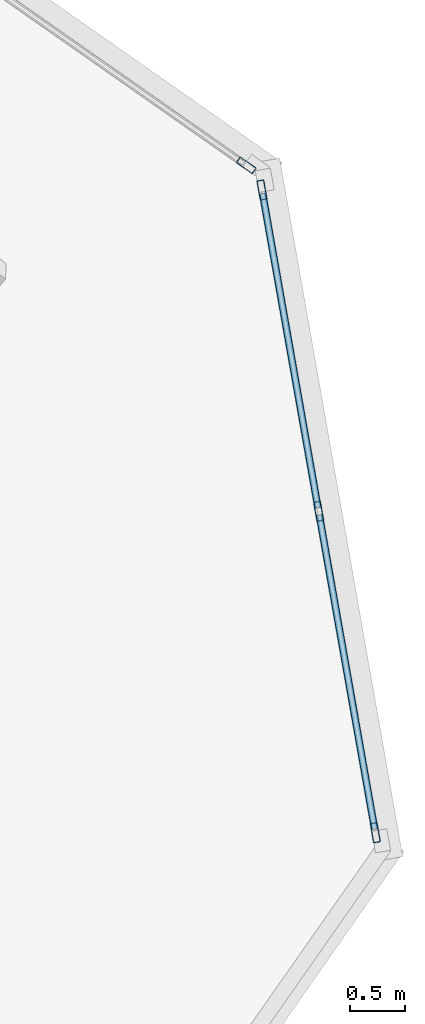
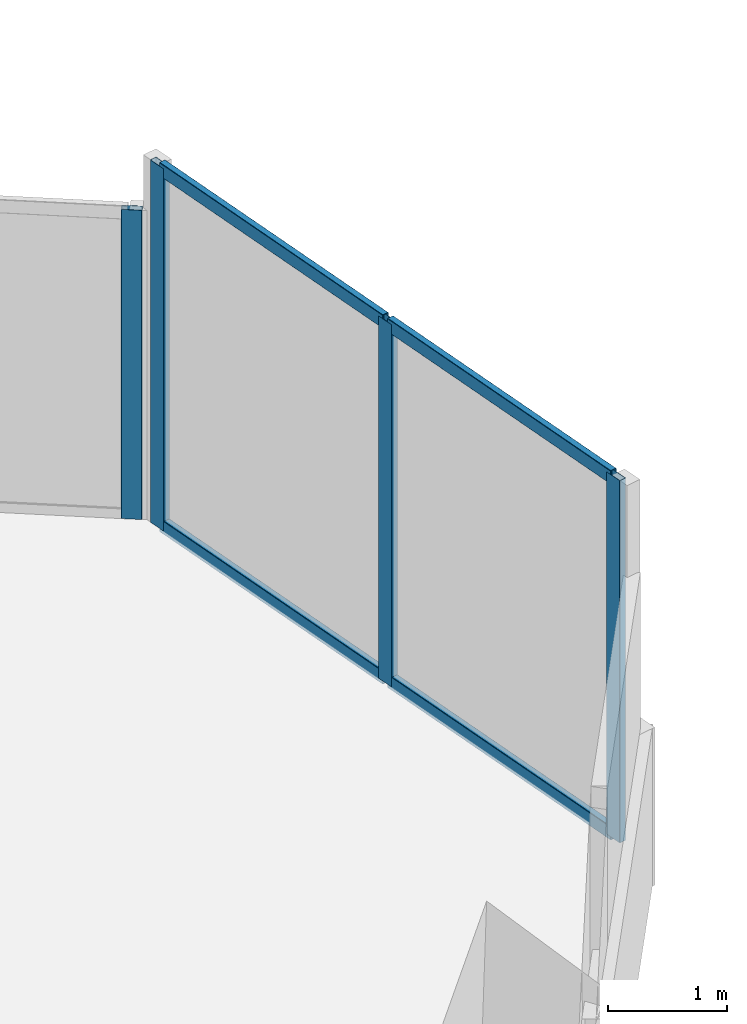
# One storey, part 11 of 21: 8 members, 2 elements without a shape of their own.
"""IFC4 building model written with IfcOpenShell, lengths in metres."""

from ifc_helpers import new_model, si_unit, direction, frame, origin, origin_2d, place, context, subcontext, project, spatial, hollow_rectangle, extrude, source, transform, mapped, material, material_profile, profile_set, type_object, element, aggregate, save


model = new_model("IFC4")

# Units and contexts
model_context = context("Model", 3, precision=1e-05, world=origin(), true_north=direction((0.0, 1.0)))
body_context = subcontext(model_context, "Body", "Model", "MODEL_VIEW")
ifc_project = project(units=[si_unit("LENGTHUNIT", "METRE"), si_unit("AREAUNIT", "SQUARE_METRE"), si_unit("VOLUMEUNIT", "CUBIC_METRE"), si_unit("PLANEANGLEUNIT", "RADIAN"), si_unit("MASSUNIT", "GRAM", prefix="KILO")], contexts=[model_context])

# Site, building, storey
site_placement = place(None, origin())
site = spatial("IfcSite", under=ifc_project, at=site_placement, CompositionType="ELEMENT")
building_placement = place(site_placement, origin())
building = spatial("IfcBuilding", under=site, at=building_placement, Name="Torre Montelarca", CompositionType="ELEMENT")
storey_placement = place(building_placement, frame((0.0, 0.0, 200.199951171875)))
storey = spatial("IfcBuildingStorey", under=building, at=storey_placement, Name="L45", CompositionType="ELEMENT", Elevation=200.199951171875)

# Curtain wall, members
ifc_material_1 = material(Name="Insulated low-E laminated glass", Category="glass")
curtain_wall_type = type_object("IfcCurtainWallType", Name="CW-SYS-Z2", PredefinedType="USERDEFINED", material=ifc_material_1)
curtain_wall_1_placement = place(storey_placement, origin())
curtain_wall_1 = element("IfcCurtainWall", 1, at=curtain_wall_1_placement, inside=storey, type_object=curtain_wall_type, Name="L45 Curtain Wall Run CW-T3-L45-E07-B1", ObjectType="UNITISED GLAZING", PredefinedType="USERDEFINED")
ifc_material_2 = material(Name="Anodised aluminium AA 6063-T6", Category="aluminium")
ifc_material_profile_1 = material_profile(ifc_material_2, hollow_rectangle(XDim=0.06494140625, YDim=0.139892578125, WallThickness=0.00390625, InnerFilletRadius=0.00390625, OuterFilletRadius=0.008056640625, at=origin_2d()), Name="ALU65X140X4", Category="aluminium")
ifc_profile_set_1 = profile_set([ifc_material_profile_1], Name="Anodised aluminium AA 6063-T6")
member_type_1 = type_object("IfcMemberType", Name="CWT-ALU140", PredefinedType="USERDEFINED", material=ifc_profile_set_1)
shared_shape_1 = source(origin(), body_context, "Body", "SweptSolid", [
    extrude(hollow_rectangle(XDim=0.06494140625, YDim=0.139892578125, WallThickness=0.00390625, InnerFilletRadius=0.00390625, OuterFilletRadius=0.008056640625, at=origin_2d()), origin(), (0.0, 0.0, 1.0), 2.91845703125),
])
member_1_placement = place(storey_placement, frame((50.4873046875, 26.072998046875, 0.032470703125), z_axis=(-0.173575360896, 0.984820589798, 0.0), x_axis=(-0.984820589798, -0.173575360896, 0.0)))
member_1 = element("IfcMember", 2, at=member_1_placement, type_object=member_type_1, Name="CW transom 1.1", ObjectType="TRANSOM", PredefinedType="USERDEFINED", context=body_context, shape_type="MappedRepresentation", body=[
    mapped(shared_shape_1, transform((0.0, 0.0, 0.0), scale=1.0)),
])
member_2_placement = place(storey_placement, frame((50.4873046875, 26.072998046875, 3.6875), z_axis=(-0.173575360896, 0.984820589798, 0.0), x_axis=(-0.984820589798, -0.173575360896, 0.0)))
member_2 = element("IfcMember", 3, at=member_2_placement, type_object=member_type_1, Name="CW transom 1.2", ObjectType="TRANSOM", PredefinedType="USERDEFINED", context=body_context, shape_type="MappedRepresentation", body=[
    mapped(shared_shape_1, transform((0.0, 0.0, 0.0), scale=1.0)),
])
member_3_placement = place(storey_placement, frame((49.96923828125, 29.01123046875, 0.032470703125), z_axis=(-0.173575360896, 0.984820589798, 0.0), x_axis=(-0.984820589798, -0.173575360896, 0.0)))
member_3 = element("IfcMember", 4, at=member_3_placement, type_object=member_type_1, Name="CW transom 2.1", ObjectType="TRANSOM", PredefinedType="USERDEFINED", context=body_context, shape_type="MappedRepresentation", body=[
    mapped(shared_shape_1, transform((0.0, 0.0, 0.0), scale=1.0)),
])
member_4_placement = place(storey_placement, frame((49.96923828125, 29.01123046875, 3.6875), z_axis=(-0.173575360896, 0.984820589798, 0.0), x_axis=(-0.984820589798, -0.173575360896, 0.0)))
member_4 = element("IfcMember", 5, at=member_4_placement, type_object=member_type_1, Name="CW transom 2.2", ObjectType="TRANSOM", PredefinedType="USERDEFINED", context=body_context, shape_type="MappedRepresentation", body=[
    mapped(shared_shape_1, transform((0.0, 0.0, 0.0), scale=1.0)),
])
ifc_material_profile_2 = material_profile(ifc_material_2, hollow_rectangle(XDim=0.06494140625, YDim=0.179931640625, WallThickness=0.00390625, InnerFilletRadius=0.00390625, OuterFilletRadius=0.008056640625, at=origin_2d()), Name="ALU65X180X4", Category="aluminium")
ifc_profile_set_2 = profile_set([ifc_material_profile_2], Name="Anodised aluminium AA 6063-T6")
member_type_2 = type_object("IfcMemberType", Name="CWM-ALU180", PredefinedType="MULLION", material=ifc_profile_set_2)
shared_shape_2 = source(origin(), body_context, "Body", "SweptSolid", [
    extrude(hollow_rectangle(XDim=0.06494140625, YDim=0.179931640625, WallThickness=0.00390625, InnerFilletRadius=0.00390625, OuterFilletRadius=0.008056640625, at=origin_2d()), origin(), (0.0, 0.0, 1.0), 3.719970703125),
])
member_5_placement = place(storey_placement, frame((50.4931640625, 26.041015625, 0.0), z_axis=(0.0, 0.0, 1.0), x_axis=(-0.984810249404, -0.173634019333, 0.0)))
member_5 = element("IfcMember", 6, at=member_5_placement, type_object=member_type_2, Name="CW mullion 1", PredefinedType="MULLION", context=body_context, shape_type="MappedRepresentation", body=[
    mapped(shared_shape_2, transform((0.0, 0.0, 0.0), scale=1.0)),
])
member_6_placement = place(storey_placement, frame((49.97509765625, 28.979248046875, 0.0), z_axis=(0.0, 0.0, 1.0), x_axis=(-0.984810249404, -0.173634019333, 0.0)))
member_6 = element("IfcMember", 7, at=member_6_placement, type_object=member_type_2, Name="CW mullion 2", PredefinedType="MULLION", context=body_context, shape_type="MappedRepresentation", body=[
    mapped(shared_shape_2, transform((0.0, 0.0, 0.0), scale=1.0)),
])
member_7_placement = place(storey_placement, frame((49.45703125, 31.91748046875, 0.0), z_axis=(0.0, 0.0, 1.0), x_axis=(-0.984810249404, -0.173634019333, 0.0)))
member_7 = element("IfcMember", 8, at=member_7_placement, type_object=member_type_2, Name="CW mullion 3", PredefinedType="MULLION", context=body_context, shape_type="MappedRepresentation", body=[
    mapped(shared_shape_2, transform((0.0, 0.0, 0.0), scale=1.0)),
])
aggregate(curtain_wall_1, [member_5, member_6, member_7, member_1, member_2, member_3, member_4])

# Curtain wall, member
curtain_wall_2_placement = place(storey_placement, origin())
curtain_wall_2 = element("IfcCurtainWall", 9, at=curtain_wall_2_placement, inside=storey, type_object=curtain_wall_type, Name="L45 Curtain Wall Run CW-T3-L45-E08-B1", ObjectType="UNITISED GLAZING", PredefinedType="USERDEFINED")
shared_shape_3 = source(origin(), body_context, "Body", "SweptSolid", [
    extrude(hollow_rectangle(XDim=0.06494140625, YDim=0.179931640625, WallThickness=0.00390625, InnerFilletRadius=0.00390625, OuterFilletRadius=0.008056640625, at=origin_2d()), origin(), (0.0, 0.0, 1.0), 3.175048828125),
])
member_8_placement = place(storey_placement, frame((49.3134765625, 32.142822265625, 0.0), z_axis=(0.0, 0.0, 1.0), x_axis=(-0.573571512445, -0.819155492023, 0.0)))
member_8 = element("IfcMember", 10, at=member_8_placement, type_object=member_type_2, Name="CW mullion 1", PredefinedType="MULLION", context=body_context, shape_type="MappedRepresentation", body=[
    mapped(shared_shape_3, transform((0.0, 0.0, 0.0), scale=1.0)),
])
aggregate(curtain_wall_2, [member_8])

save(model, "model.ifc")
